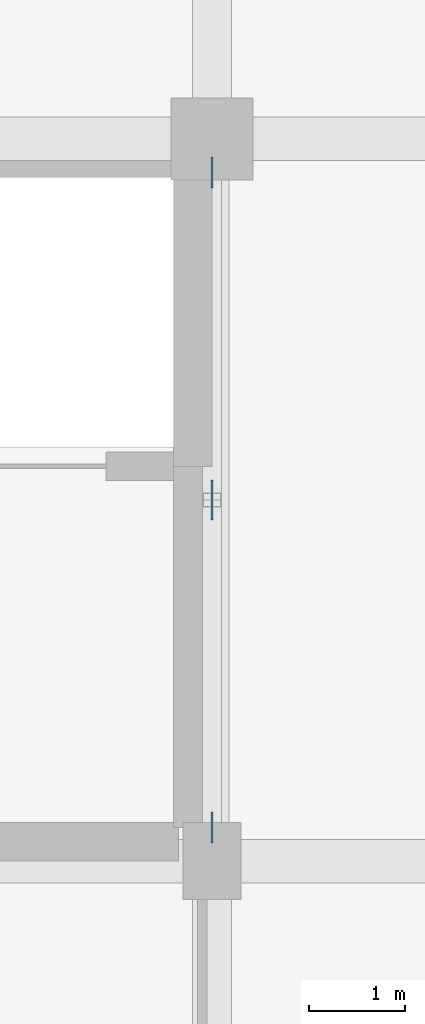
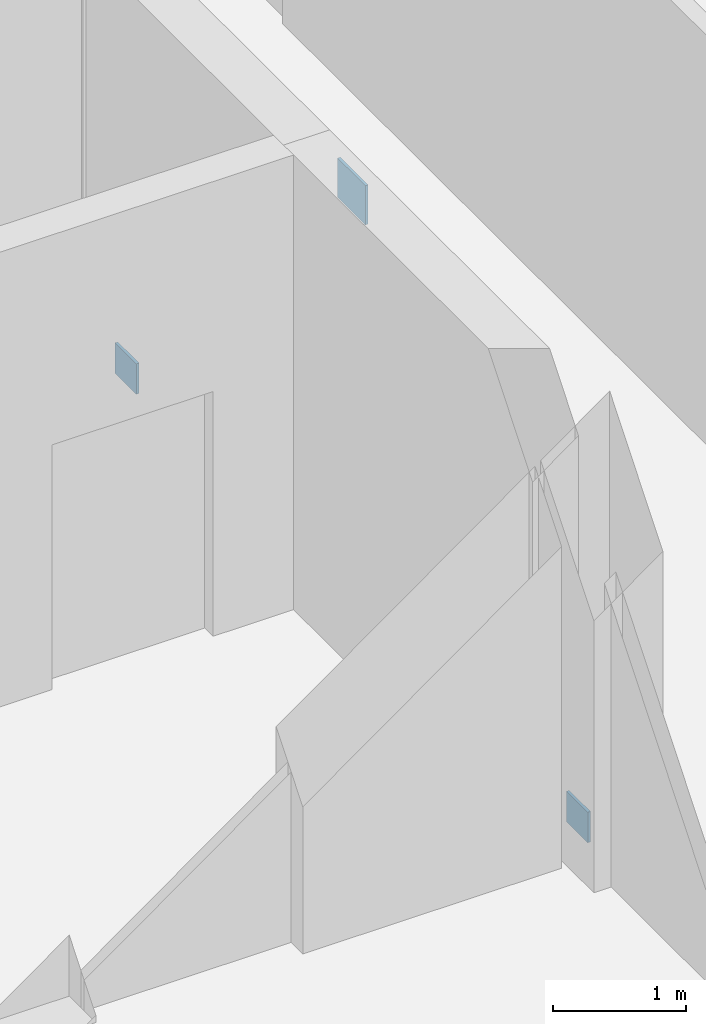
# One storey, part 93 of 128: 3 plates.
"""IFC4 building model written with IfcOpenShell, lengths in metres."""

from ifc_helpers import new_model, si_unit, direction, frame, origin, origin_2d, place, context, subcontext, project, spatial, rectangle, extrude, material, layer, layer_set, type_object, element, save


model = new_model("IFC4")

# Units and contexts
model_context = context("Model", 3, precision=1e-05, world=origin(), true_north=direction((0.0, 1.0)))
body_context = subcontext(model_context, "Body", "Model", "MODEL_VIEW")
ifc_project = project(units=[si_unit("LENGTHUNIT", "METRE"), si_unit("AREAUNIT", "SQUARE_METRE"), si_unit("VOLUMEUNIT", "CUBIC_METRE"), si_unit("PLANEANGLEUNIT", "RADIAN"), si_unit("MASSUNIT", "GRAM", prefix="KILO")], contexts=[model_context])

# Site, building, storey
site_placement = place(None, origin())
site = spatial("IfcSite", under=ifc_project, at=site_placement, CompositionType="ELEMENT")
building_placement = place(site_placement, origin())
building = spatial("IfcBuilding", under=site, at=building_placement, Name="Dalvernix Boulevard General Hospital", CompositionType="ELEMENT")
storey_placement = place(building_placement, frame((0.0, 0.0, 4.800048828125)))
storey = spatial("IfcBuildingStorey", under=building, at=storey_placement, Name="L01", CompositionType="ELEMENT", Elevation=4.800048828125)

# Plates
ifc_material = material(Name="Steel S355", Category="steel")
ifc_layer = layer(ifc_material, 0.028076171875)
ifc_layer_set = layer_set([ifc_layer], Name="Steel S355 (PLT-NP-03)")
plate_type = type_object("IfcPlateType", Name="PLT-NP-03", PredefinedType="SHEET", material=ifc_layer_set)
plate_placement = place(storey_placement, frame((15.0, 57.75, 3.64990234375), z_axis=(0.0, 0.0, 1.0), x_axis=(0.0, 1.0, 0.0)))
element("IfcPlate", 1, at=plate_placement, inside=storey, type_object=plate_type, Name="L01 brace apex gusset plate 2", PredefinedType="SHEET", context=body_context, shape_type="SweptSolid", body=[
    extrude(rectangle(XDim=0.419921875, YDim=0.02392578125, at=origin_2d()), origin(), (0.0, 0.0, 1.0), 0.360107421875),
])
for number, where, z_axis, x_axis, name in (
    (2, (15.0, 54.35009765625, 0.0), (0.0, 0.0, 1.0), (0.0, 1.0, 0.0), "L01 brace base gusset plate 2S"),
    (3, (15.0, 61.14990234375, 0.0), (0.0, 0.0, 1.0), (0.0, 1.0, 0.0), "L01 brace base gusset plate 2N"),
):
    element("IfcPlate", number, at=place(storey_placement, frame(where, z_axis=z_axis, x_axis=x_axis)), inside=storey, type_object=plate_type, Name=name, PredefinedType="SHEET", context=body_context, shape_type="SweptSolid", body=[
        extrude(rectangle(XDim=0.320068359375, YDim=0.02392578125, at=origin_2d()), origin(), (0.0, 0.0, 1.0), 0.280029296875),
    ])

save(model, "model.ifc")
